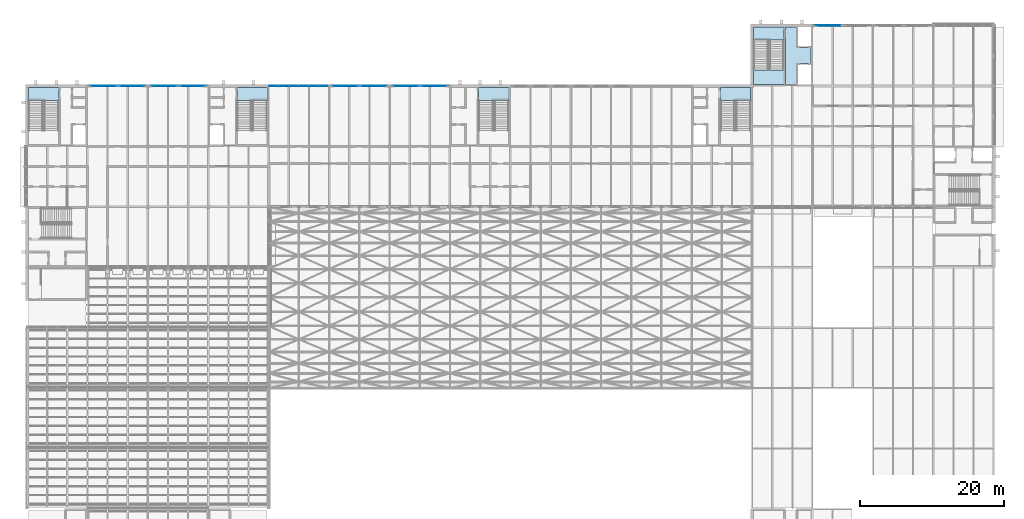
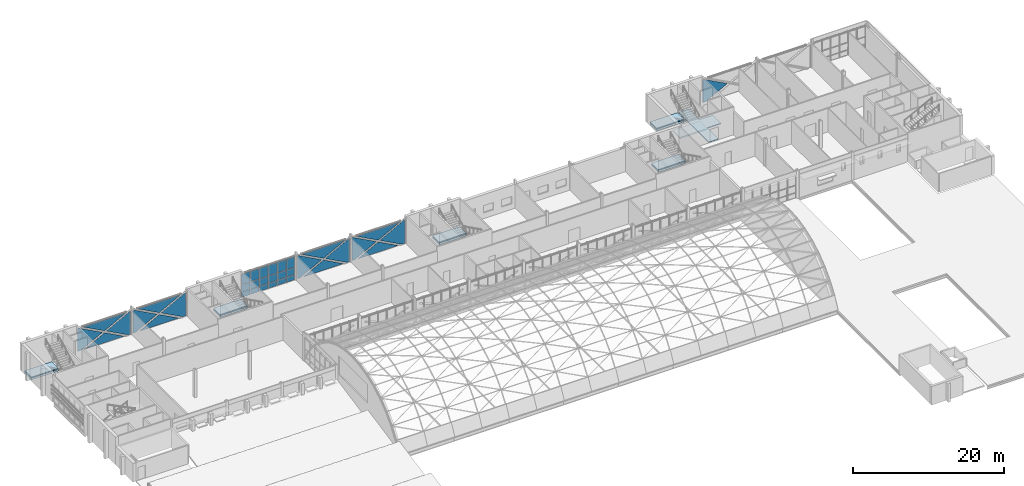
# One storey, part 80 of 121: 35 plates, 12 slabs, 7 elements without a shape of their own.
"""IFC4 building model written with IfcOpenShell, lengths in metres."""

from ifc_helpers import new_model, si_unit, direction, frame, origin, origin_2d, place, context, subcontext, project, spatial, polyline, rectangle, outline, extrude, material, layer, layer_set, type_object, element, aggregate, save


model = new_model("IFC4")

# Units and contexts
model_context = context("Model", 3, precision=1e-05, world=origin(), true_north=direction((0.0, 1.0)))
body_context = subcontext(model_context, "Body", "Model", "MODEL_VIEW")
ifc_project = project(units=[si_unit("LENGTHUNIT", "METRE"), si_unit("AREAUNIT", "SQUARE_METRE"), si_unit("VOLUMEUNIT", "CUBIC_METRE"), si_unit("PLANEANGLEUNIT", "RADIAN"), si_unit("MASSUNIT", "GRAM", prefix="KILO")], contexts=[model_context])

# Site, building, storey
site_placement = place(None, origin())
site = spatial("IfcSite", under=ifc_project, at=site_placement, CompositionType="ELEMENT")
building_placement = place(site_placement, origin())
building = spatial("IfcBuilding", under=site, at=building_placement, Name="Ardhachandra Cancer Care Centre", CompositionType="ELEMENT")
storey_placement = place(building_placement, frame((0.0, 0.0, 9.0)))
storey = spatial("IfcBuildingStorey", under=building, at=storey_placement, Name="L02", CompositionType="ELEMENT", Elevation=9.0)

# Slabs
ifc_material_1 = material(Name="Concrete M40", Category="concrete")
ifc_layer_1 = layer(ifc_material_1, 0.14990234375)
ifc_layer_set_1 = layer_set([ifc_layer_1], Name="Concrete M40")
slab_type_1 = type_object("IfcSlabType", Name="Core floor slab 150", PredefinedType="FLOOR", material=ifc_layer_set_1)
slab_1_placement = place(storey_placement, frame((0.0, 0.0, -0.14990234375)))
element("IfcSlab", 1, at=slab_1_placement, inside=storey, type_object=slab_type_1, Name="Core floor slab K4 L02 1", PredefinedType="FLOOR", context=body_context, shape_type="SweptSolid", body=[
    extrude(outline(polyline([(11.02490234375, 96.375), (15.22509765625, 96.375), (15.22509765625, 94.60009765625), (11.02490234375, 94.60009765625), (11.02490234375, 96.375)])), origin(), (0.0, 0.0, 1.0), 0.14990234375),
])
slab_2_placement = place(storey_placement, frame((0.0, 0.0, -0.14990234375)))
element("IfcSlab", 2, at=slab_2_placement, inside=storey, type_object=slab_type_1, Name="Core floor slab K5 L02 1", PredefinedType="FLOOR", context=body_context, shape_type="SweptSolid", body=[
    extrude(outline(polyline([(44.199951171875, 96.375), (40.0, 96.375), (40.0, 94.60009765625), (44.199951171875, 94.60009765625), (44.199951171875, 96.375)])), origin(), (0.0, 0.0, 1.0), 0.14990234375),
])
slab_3_placement = place(storey_placement, frame((0.0, 0.0, -0.14990234375)))
element("IfcSlab", 3, at=slab_3_placement, inside=storey, type_object=slab_type_1, Name="Core floor slab K7 L02 1", PredefinedType="FLOOR", context=body_context, shape_type="SweptSolid", body=[
    extrude(outline(polyline([(111.39990234375, 96.375), (107.199951171875, 96.375), (107.199951171875, 94.60009765625), (111.39990234375, 94.60009765625), (111.39990234375, 96.375)])), origin(), (0.0, 0.0, 1.0), 0.14990234375),
])
slab_4_placement = place(storey_placement, frame((0.0, 0.0, -0.14990234375)))
element("IfcSlab", 4, at=slab_4_placement, inside=storey, type_object=slab_type_1, Name="Core floor slab K8 L02 1", PredefinedType="FLOOR", context=body_context, shape_type="SweptSolid", body=[
    extrude(outline(polyline([(77.800048828125, 96.375), (73.60009765625, 96.375), (73.60009765625, 94.60009765625), (77.800048828125, 94.60009765625), (77.800048828125, 96.375)])), origin(), (0.0, 0.0, 1.0), 0.14990234375),
])
slab_5_placement = place(storey_placement, frame((0.0, 0.0, -0.14990234375)))
element("IfcSlab", 5, at=slab_5_placement, inside=storey, type_object=slab_type_1, Name="Core floor slab K12 L02 1", PredefinedType="FLOOR", context=body_context, shape_type="SweptSolid", body=[
    extrude(outline(polyline([(111.824951171875, 104.77490234375), (116.02490234375, 104.77490234375), (116.02490234375, 103.0), (111.824951171875, 103.0), (111.824951171875, 104.77490234375)])), origin(), (0.0, 0.0, 1.0), 0.14990234375),
])
slab_6_placement = place(storey_placement, frame((0.0, 0.0, -0.14990234375)))
element("IfcSlab", 6, at=slab_6_placement, inside=storey, type_object=slab_type_1, Name="Core floor slab K12 L02 2", PredefinedType="FLOOR", context=body_context, shape_type="SweptSolid", body=[
    extrude(outline(polyline([(119.800048828125, 99.75), (117.949951171875, 99.75), (117.75, 99.75), (117.75, 96.800048828125), (116.22509765625, 96.800048828125), (116.22509765625, 104.77490234375), (117.75, 104.77490234375), (117.75, 101.925048828125), (117.949951171875, 101.925048828125), (119.800048828125, 101.925048828125), (119.800048828125, 99.75)])), origin(), (0.0, 0.0, 1.0), 0.14990234375),
])
ifc_material_2 = material(Name="Concrete M40", Category="concrete")
ifc_layer_2 = layer(ifc_material_2, 0.300048828125)
ifc_layer_set_2 = layer_set([ifc_layer_2], Name="Concrete M40")
slab_type_2 = type_object("IfcSlabType", Name="Core stair edge slab 300", PredefinedType="FLOOR", material=ifc_layer_set_2)
slab_7_placement = place(storey_placement, frame((0.0, 0.0, -0.449951171875)))
element("IfcSlab", 7, at=slab_7_placement, inside=storey, type_object=slab_type_2, Name="Core stair edge slab K4 L02", PredefinedType="FLOOR", context=body_context, shape_type="SweptSolid", body=[
    extrude(outline(polyline([(11.02490234375, 94.60009765625), (15.22509765625, 94.60009765625), (15.22509765625, 96.375), (11.02490234375, 96.375), (11.02490234375, 94.60009765625)])), origin(), (0.0, 0.0, 1.0), 0.300048828125),
])
slab_8_placement = place(storey_placement, frame((0.0, 0.0, -0.449951171875)))
element("IfcSlab", 8, at=slab_8_placement, inside=storey, type_object=slab_type_2, Name="Core stair edge slab K5 L02", PredefinedType="FLOOR", context=body_context, shape_type="SweptSolid", body=[
    extrude(outline(polyline([(44.199951171875, 94.60009765625), (40.0, 94.60009765625), (40.0, 96.375), (44.199951171875, 96.375), (44.199951171875, 94.60009765625)])), origin(), (0.0, 0.0, 1.0), 0.300048828125),
])
slab_9_placement = place(storey_placement, frame((0.0, 0.0, -0.449951171875)))
element("IfcSlab", 9, at=slab_9_placement, inside=storey, type_object=slab_type_2, Name="Core stair edge slab K7 L02", PredefinedType="FLOOR", context=body_context, shape_type="SweptSolid", body=[
    extrude(outline(polyline([(111.39990234375, 94.60009765625), (107.199951171875, 94.60009765625), (107.199951171875, 96.375), (111.39990234375, 96.375), (111.39990234375, 94.60009765625)])), origin(), (0.0, 0.0, 1.0), 0.300048828125),
])
slab_10_placement = place(storey_placement, frame((0.0, 0.0, -0.449951171875)))
element("IfcSlab", 10, at=slab_10_placement, inside=storey, type_object=slab_type_2, Name="Core stair edge slab K8 L02", PredefinedType="FLOOR", context=body_context, shape_type="SweptSolid", body=[
    extrude(outline(polyline([(77.800048828125, 94.60009765625), (73.60009765625, 94.60009765625), (73.60009765625, 96.375), (77.800048828125, 96.375), (77.800048828125, 94.60009765625)])), origin(), (0.0, 0.0, 1.0), 0.300048828125),
])
slab_11_placement = place(storey_placement, frame((0.0, 0.0, -0.449951171875)))
element("IfcSlab", 11, at=slab_11_placement, inside=storey, type_object=slab_type_2, Name="Core stair edge slab K12 L02", PredefinedType="FLOOR", context=body_context, shape_type="SweptSolid", body=[
    extrude(outline(polyline([(111.824951171875, 103.0), (116.02490234375, 103.0), (116.02490234375, 104.77490234375), (111.824951171875, 104.77490234375), (111.824951171875, 103.0)])), origin(), (0.0, 0.0, 1.0), 0.300048828125),
])

# Curtain wall, plates
ifc_material_3 = material(Name="Aluminium extrusion", Category="aluminium")
ifc_layer_3 = layer(ifc_material_3, 0.14990234375)
ifc_layer_set_3 = layer_set([ifc_layer_3], Name="Aluminium extrusion")
curtain_wall_type = type_object("IfcCurtainWallType", Name="Curtain wall run", PredefinedType="NOTDEFINED", material=ifc_layer_set_3)
curtain_wall_1_placement = place(storey_placement, origin())
curtain_wall_1 = element("IfcCurtainWall", 12, at=curtain_wall_1_placement, inside=storey, type_object=curtain_wall_type, Name="Curtain wall L02 n/0019200_0096600", PredefinedType="NOTDEFINED")
ifc_material_4 = material(Name="Low-iron double-glazed unit")
ifc_layer_4 = layer(ifc_material_4, 0.028076171875)
ifc_layer_set_4 = layer_set([ifc_layer_4], Name="Low-iron double-glazed unit")
plate_type_1 = type_object("IfcPlateType", Name="Curtain wall glazing 28", PredefinedType="CURTAIN_PANEL", material=ifc_layer_set_4)
plate_1_placement = place(storey_placement, frame((27.389892578125, 96.60009765625, 3.7900390625), z_axis=(0.0, 1.0, 0.0), x_axis=(0.0, 0.0, -1.0)))
plate_1 = element("IfcPlate", 13, at=plate_1_placement, type_object=plate_type_1, Name="CW panel 1.1", PredefinedType="CURTAIN_PANEL", context=body_context, shape_type="SweptSolid", body=[
    extrude(outline(polyline([(0.0, 0.0), (3.72998046875, 0.0), (3.72998046875, 0.357421875), (1.93994140625, 3.69873046875), (0.0, 0.077392578125), (0.0, 0.0)])), origin(), (0.0, 0.0, 1.0), 0.028076171875),
])
plate_2_placement = place(storey_placement, frame((26.730224609375, 96.60009765625, 3.7900390625), z_axis=(0.0, 1.0, 0.0), x_axis=(-0.881498222146, 0.0, -0.472187340314)))
plate_2 = element("IfcPlate", 14, at=plate_2_placement, type_object=plate_type_1, Name="CW panel 1.1", PredefinedType="CURTAIN_PANEL", context=body_context, shape_type="SweptSolid", body=[
    extrude(outline(polyline([(0.0, 0.0), (3.778076171875, 0.0), (5.87109375, 3.14501953125), (0.0, 0.0)])), frame((0.0, 0.0, -0.028076171875)), (0.0, 0.0, 1.0), 0.028076171875),
])
plate_3_placement = place(storey_placement, frame((19.260009765625, 96.60009765625, 0.06005859375), z_axis=(0.0, 1.0, 0.0), x_axis=(0.0, 0.0, 1.0)))
plate_3 = element("IfcPlate", 15, at=plate_3_placement, type_object=plate_type_1, Name="CW panel 1.1", PredefinedType="CURTAIN_PANEL", context=body_context, shape_type="SweptSolid", body=[
    extrude(outline(polyline([(0.0, 0.0), (3.72998046875, 0.0), (3.72998046875, 0.2275390625), (1.7900390625, 3.848876953125), (0.0, 0.507568359375), (0.0, 0.0)])), origin(), (0.0, 0.0, 1.0), 0.028076171875),
])
plate_4_placement = place(storey_placement, frame((20.349853515625, 96.60009765625, 0.06005859375), z_axis=(0.0, 1.0, 0.0), x_axis=(0.881470529599, 0.0, 0.472239034228)))
plate_4 = element("IfcPlate", 16, at=plate_4_placement, type_object=plate_type_1, Name="CW panel 1.1", PredefinedType="CURTAIN_PANEL", context=body_context, shape_type="SweptSolid", body=[
    extrude(outline(polyline([(0.0, 0.0), (3.460205078125, 0.0), (5.377197265625, 2.880859375), (0.0, 0.0)])), frame((0.0, 0.0, -0.028076171875)), (0.0, 0.0, 1.0), 0.028076171875),
])
aggregate(curtain_wall_1, [plate_1, plate_2, plate_3, plate_4])

curtain_wall_2_placement = place(storey_placement, origin())
curtain_wall_2 = element("IfcCurtainWall", 17, at=curtain_wall_2_placement, inside=storey, type_object=curtain_wall_type, Name="Curtain wall L02 n/0027600_0096600", PredefinedType="NOTDEFINED")
plate_5_placement = place(storey_placement, frame((35.93994140625, 96.60009765625, 3.7900390625), z_axis=(0.0, 1.0, 0.0), x_axis=(0.0, 0.0, -1.0)))
plate_5 = element("IfcPlate", 18, at=plate_5_placement, type_object=plate_type_1, Name="CW panel 1.1", PredefinedType="CURTAIN_PANEL", context=body_context, shape_type="SweptSolid", body=[
    extrude(outline(polyline([(0.0, 0.0), (3.72998046875, 0.0), (3.72998046875, 0.50732421875), (1.93994140625, 3.848876953125), (0.0, 0.2275390625), (0.0, 0.0)])), origin(), (0.0, 0.0, 1.0), 0.028076171875),
])
plate_6_placement = place(storey_placement, frame((35.130126953125, 96.60009765625, 3.7900390625), z_axis=(0.0, 1.0, 0.0), x_axis=(-0.881483812908, 0.0, -0.47221423907)))
plate_6 = element("IfcPlate", 19, at=plate_6_placement, type_object=plate_type_1, Name="CW panel 1.1", PredefinedType="CURTAIN_PANEL", context=body_context, shape_type="SweptSolid", body=[
    extrude(outline(polyline([(0.0, 0.0), (3.77783203125, 0.0), (5.87109375, 3.14501953125), (0.0, 0.0)])), frame((0.0, 0.0, -0.028076171875)), (0.0, 0.0, 1.0), 0.028076171875),
])
plate_7_placement = place(storey_placement, frame((27.81005859375, 96.60009765625, 0.06005859375), z_axis=(0.0, 1.0, 0.0), x_axis=(0.0, 0.0, 1.0)))
plate_7 = element("IfcPlate", 20, at=plate_7_placement, type_object=plate_type_1, Name="CW panel 1.1", PredefinedType="CURTAIN_PANEL", context=body_context, shape_type="SweptSolid", body=[
    extrude(outline(polyline([(0.0, 0.0), (3.72998046875, 0.0), (3.72998046875, 0.077392578125), (1.7900390625, 3.69873046875), (0.0, 0.357421875), (0.0, 0.0)])), origin(), (0.0, 0.0, 1.0), 0.028076171875),
])
plate_8_placement = place(storey_placement, frame((28.749755859375, 96.60009765625, 0.06005859375), z_axis=(0.0, 1.0, 0.0), x_axis=(0.881486263061, 0.0, 0.472209665333)))
plate_8 = element("IfcPlate", 21, at=plate_8_placement, type_object=plate_type_1, Name="CW panel 1.1", PredefinedType="CURTAIN_PANEL", context=body_context, shape_type="SweptSolid", body=[
    extrude(outline(polyline([(0.0, 0.0), (3.46044921875, 0.0), (5.37744140625, 2.880615234375), (0.0, 0.0)])), frame((0.0, 0.0, -0.028076171875)), (0.0, 0.0, 1.0), 0.028076171875),
])
aggregate(curtain_wall_2, [plate_5, plate_6, plate_7, plate_8])

curtain_wall_3_placement = place(storey_placement, origin())
curtain_wall_3 = element("IfcCurtainWall", 22, at=curtain_wall_3_placement, inside=storey, type_object=curtain_wall_type, Name="Curtain wall L02 n/0044400_0096600", PredefinedType="NOTDEFINED")
plate_9_placement = place(storey_placement, frame((45.1025390625, 96.60009765625, 0.93017578125), z_axis=(0.0, 0.0, 1.0), x_axis=(1.0, 0.0, 0.0)))
plate_9 = element("IfcPlate", 23, at=plate_9_placement, type_object=plate_type_1, Name="CW panel 1.2", PredefinedType="CURTAIN_PANEL", context=body_context, shape_type="SweptSolid", body=[
    extrude(rectangle(XDim=1.284912109375, YDim=0.028076171875, at=origin_2d()), origin(), (0.0, 0.0, 1.0), 1.139892578125),
])
plate_10_placement = place(storey_placement, frame((45.1025390625, 96.60009765625, 2.1298828125), z_axis=(0.0, 0.0, 1.0), x_axis=(1.0, 0.0, 0.0)))
plate_10 = element("IfcPlate", 24, at=plate_10_placement, type_object=plate_type_1, Name="CW panel 1.3", PredefinedType="CURTAIN_PANEL", context=body_context, shape_type="SweptSolid", body=[
    extrude(rectangle(XDim=1.284912109375, YDim=0.028076171875, at=origin_2d()), origin(), (0.0, 0.0, 1.0), 1.696044921875),
])
plate_11_placement = place(storey_placement, frame((46.46240234375, 96.60009765625, 0.93017578125), z_axis=(0.0, 0.0, 1.0), x_axis=(1.0, 0.0, 0.0)))
plate_11 = element("IfcPlate", 25, at=plate_11_placement, type_object=plate_type_1, Name="CW panel 2.2", PredefinedType="CURTAIN_PANEL", context=body_context, shape_type="SweptSolid", body=[
    extrude(rectangle(XDim=1.31494140625, YDim=0.028076171875, at=origin_2d()), origin(), (0.0, 0.0, 1.0), 1.139892578125),
])
plate_12_placement = place(storey_placement, frame((46.46240234375, 96.60009765625, 2.1298828125), z_axis=(0.0, 0.0, 1.0), x_axis=(1.0, 0.0, 0.0)))
plate_12 = element("IfcPlate", 26, at=plate_12_placement, type_object=plate_type_1, Name="CW panel 2.3", PredefinedType="CURTAIN_PANEL", context=body_context, shape_type="SweptSolid", body=[
    extrude(rectangle(XDim=1.31494140625, YDim=0.028076171875, at=origin_2d()), origin(), (0.0, 0.0, 1.0), 1.696044921875),
])
plate_13_placement = place(storey_placement, frame((47.83740234375, 96.60009765625, 0.93017578125), z_axis=(0.0, 0.0, 1.0), x_axis=(1.0, 0.0, 0.0)))
plate_13 = element("IfcPlate", 27, at=plate_13_placement, type_object=plate_type_1, Name="CW panel 3.2", PredefinedType="CURTAIN_PANEL", context=body_context, shape_type="SweptSolid", body=[
    extrude(rectangle(XDim=1.31494140625, YDim=0.028076171875, at=origin_2d()), origin(), (0.0, 0.0, 1.0), 1.139892578125),
])
plate_14_placement = place(storey_placement, frame((47.83740234375, 96.60009765625, 2.1298828125), z_axis=(0.0, 0.0, 1.0), x_axis=(1.0, 0.0, 0.0)))
plate_14 = element("IfcPlate", 28, at=plate_14_placement, type_object=plate_type_1, Name="CW panel 3.3", PredefinedType="CURTAIN_PANEL", context=body_context, shape_type="SweptSolid", body=[
    extrude(rectangle(XDim=1.31494140625, YDim=0.028076171875, at=origin_2d()), origin(), (0.0, 0.0, 1.0), 1.696044921875),
])
plate_15_placement = place(storey_placement, frame((49.21240234375, 96.60009765625, 0.93017578125), z_axis=(0.0, 0.0, 1.0), x_axis=(1.0, 0.0, 0.0)))
plate_15 = element("IfcPlate", 29, at=plate_15_placement, type_object=plate_type_1, Name="CW panel 4.2", PredefinedType="CURTAIN_PANEL", context=body_context, shape_type="SweptSolid", body=[
    extrude(rectangle(XDim=1.31494140625, YDim=0.028076171875, at=origin_2d()), origin(), (0.0, 0.0, 1.0), 1.139892578125),
])
plate_16_placement = place(storey_placement, frame((49.21240234375, 96.60009765625, 2.1298828125), z_axis=(0.0, 0.0, 1.0), x_axis=(1.0, 0.0, 0.0)))
plate_16 = element("IfcPlate", 30, at=plate_16_placement, type_object=plate_type_1, Name="CW panel 4.3", PredefinedType="CURTAIN_PANEL", context=body_context, shape_type="SweptSolid", body=[
    extrude(rectangle(XDim=1.31494140625, YDim=0.028076171875, at=origin_2d()), origin(), (0.0, 0.0, 1.0), 1.696044921875),
])
plate_17_placement = place(storey_placement, frame((50.58740234375, 96.60009765625, 0.93017578125), z_axis=(0.0, 0.0, 1.0), x_axis=(1.0, 0.0, 0.0)))
plate_17 = element("IfcPlate", 31, at=plate_17_placement, type_object=plate_type_1, Name="CW panel 5.2", PredefinedType="CURTAIN_PANEL", context=body_context, shape_type="SweptSolid", body=[
    extrude(rectangle(XDim=1.31494140625, YDim=0.028076171875, at=origin_2d()), origin(), (0.0, 0.0, 1.0), 1.139892578125),
])
plate_18_placement = place(storey_placement, frame((50.58740234375, 96.60009765625, 2.1298828125), z_axis=(0.0, 0.0, 1.0), x_axis=(1.0, 0.0, 0.0)))
plate_18 = element("IfcPlate", 32, at=plate_18_placement, type_object=plate_type_1, Name="CW panel 5.3", PredefinedType="CURTAIN_PANEL", context=body_context, shape_type="SweptSolid", body=[
    extrude(rectangle(XDim=1.31494140625, YDim=0.028076171875, at=origin_2d()), origin(), (0.0, 0.0, 1.0), 1.696044921875),
])
plate_19_placement = place(storey_placement, frame((51.947509765625, 96.60009765625, 0.93017578125), z_axis=(0.0, 0.0, 1.0), x_axis=(1.0, 0.0, 0.0)))
plate_19 = element("IfcPlate", 33, at=plate_19_placement, type_object=plate_type_1, Name="CW panel 6.2", PredefinedType="CURTAIN_PANEL", context=body_context, shape_type="SweptSolid", body=[
    extrude(rectangle(XDim=1.284912109375, YDim=0.028076171875, at=origin_2d()), origin(), (0.0, 0.0, 1.0), 1.139892578125),
])
plate_20_placement = place(storey_placement, frame((51.947509765625, 96.60009765625, 2.1298828125), z_axis=(0.0, 0.0, 1.0), x_axis=(1.0, 0.0, 0.0)))
plate_20 = element("IfcPlate", 34, at=plate_20_placement, type_object=plate_type_1, Name="CW panel 6.3", PredefinedType="CURTAIN_PANEL", context=body_context, shape_type="SweptSolid", body=[
    extrude(rectangle(XDim=1.284912109375, YDim=0.028076171875, at=origin_2d()), origin(), (0.0, 0.0, 1.0), 1.696044921875),
])

curtain_wall_4_placement = place(storey_placement, origin())
curtain_wall_4 = element("IfcCurtainWall", 35, at=curtain_wall_4_placement, inside=storey, type_object=curtain_wall_type, Name="Curtain wall L02 n/0052800_0096600", PredefinedType="NOTDEFINED")
plate_21_placement = place(storey_placement, frame((60.989990234375, 96.60009765625, 3.825927734375), z_axis=(0.0, 1.0, 0.0), x_axis=(0.0, 0.0, -1.0)))
plate_21 = element("IfcPlate", 36, at=plate_21_placement, type_object=plate_type_1, Name="CW panel 1.1", PredefinedType="CURTAIN_PANEL", context=body_context, shape_type="SweptSolid", body=[
    extrude(outline(polyline([(0.0, 0.0), (3.765869140625, 0.0), (3.765869140625, 0.385009765625), (1.967041015625, 3.729736328125), (0.0, 0.07275390625), (0.0, 0.0)])), origin(), (0.0, 0.0, 1.0), 0.028076171875),
])
plate_22_placement = place(storey_placement, frame((60.39697265625, 96.60009765625, 3.825927734375), z_axis=(0.0, 1.0, 0.0), x_axis=(-0.880712849131, 0.0, -0.473650585744)))
plate_22 = element("IfcPlate", 37, at=plate_22_placement, type_object=plate_type_1, Name="CW panel 1.1", PredefinedType="CURTAIN_PANEL", context=body_context, shape_type="SweptSolid", body=[
    extrude(outline(polyline([(0.0, 0.0), (3.857177734375, 0.0), (5.9833984375, 3.218017578125), (0.0, 0.0)])), frame((0.0, 0.0, -0.028076171875)), (0.0, 0.0, 1.0), 0.028076171875),
])
plate_23_placement = place(storey_placement, frame((53.010009765625, 96.60009765625, 0.06005859375), z_axis=(0.0, 1.0, 0.0), x_axis=(0.0, 0.0, 1.0)))
plate_23 = element("IfcPlate", 38, at=plate_23_placement, type_object=plate_type_1, Name="CW panel 1.1", PredefinedType="CURTAIN_PANEL", context=body_context, shape_type="SweptSolid", body=[
    extrude(outline(polyline([(0.0, 0.0), (3.765869140625, 0.0), (3.765869140625, 0.07275390625), (1.798828125, 3.729736328125), (0.0, 0.385009765625), (0.0, 0.0)])), origin(), (0.0, 0.0, 1.0), 0.028076171875),
])
plate_24_placement = place(storey_placement, frame((53.91552734375, 96.60009765625, 0.06005859375), z_axis=(0.0, 1.0, 0.0), x_axis=(0.880701546628, 0.0, 0.473671601182)))
plate_24 = element("IfcPlate", 39, at=plate_24_placement, type_object=plate_type_1, Name="CW panel 1.1", PredefinedType="CURTAIN_PANEL", context=body_context, shape_type="SweptSolid", body=[
    extrude(outline(polyline([(0.0, 0.0), (3.502197265625, 0.0), (5.43310546875, 2.922119140625), (0.0, 0.0)])), frame((0.0, 0.0, -0.028076171875)), (0.0, 0.0, 1.0), 0.028076171875),
])
aggregate(curtain_wall_4, [plate_21, plate_22, plate_23, plate_24])

curtain_wall_5_placement = place(storey_placement, origin())
curtain_wall_5 = element("IfcCurtainWall", 40, at=curtain_wall_5_placement, inside=storey, type_object=curtain_wall_type, Name="Curtain wall L02 n/0061200_0096600", PredefinedType="NOTDEFINED")
plate_25_placement = place(storey_placement, frame((69.5400390625, 96.60009765625, 3.825927734375), z_axis=(0.0, 1.0, 0.0), x_axis=(0.0, 0.0, -1.0)))
plate_25 = element("IfcPlate", 41, at=plate_25_placement, type_object=plate_type_1, Name="CW panel 1.1", PredefinedType="CURTAIN_PANEL", context=body_context, shape_type="SweptSolid", body=[
    extrude(outline(polyline([(0.0, 0.0), (3.765869140625, 0.0), (3.765869140625, 0.53515625), (1.967041015625, 3.8798828125), (0.0, 0.22265625), (0.0, 0.0)])), origin(), (0.0, 0.0, 1.0), 0.028076171875),
])
plate_26_placement = place(storey_placement, frame((68.796875, 96.60009765625, 3.825927734375), z_axis=(0.0, 1.0, 0.0), x_axis=(-0.880712849131, 0.0, -0.473650585744)))
plate_26 = element("IfcPlate", 42, at=plate_26_placement, type_object=plate_type_1, Name="CW panel 1.1", PredefinedType="CURTAIN_PANEL", context=body_context, shape_type="SweptSolid", body=[
    extrude(outline(polyline([(0.0, 0.0), (3.857177734375, 0.0), (5.9833984375, 3.2177734375), (0.0, 0.0)])), frame((0.0, 0.0, -0.028076171875)), (0.0, 0.0, 1.0), 0.028076171875),
])
plate_27_placement = place(storey_placement, frame((61.409912109375, 96.60009765625, 0.06005859375), z_axis=(0.0, 1.0, 0.0), x_axis=(0.0, 0.0, 1.0)))
plate_27 = element("IfcPlate", 43, at=plate_27_placement, type_object=plate_type_1, Name="CW panel 1.1", PredefinedType="CURTAIN_PANEL", context=body_context, shape_type="SweptSolid", body=[
    extrude(outline(polyline([(0.0, 0.0), (3.765869140625, 0.0), (3.765869140625, 0.07275390625), (1.798828125, 3.72998046875), (0.0, 0.38525390625), (0.0, 0.0)])), origin(), (0.0, 0.0, 1.0), 0.028076171875),
])
plate_28_placement = place(storey_placement, frame((62.3154296875, 96.60009765625, 0.06005859375), z_axis=(0.0, 1.0, 0.0), x_axis=(0.880701546628, 0.0, 0.473671601182)))
plate_28 = element("IfcPlate", 44, at=plate_28_placement, type_object=plate_type_1, Name="CW panel 1.1", PredefinedType="CURTAIN_PANEL", context=body_context, shape_type="SweptSolid", body=[
    extrude(outline(polyline([(0.0, 0.0), (3.502197265625, 0.0), (5.43310546875, 2.922119140625), (0.0, 0.0)])), frame((0.0, 0.0, -0.028076171875)), (0.0, 0.0, 1.0), 0.028076171875),
])
aggregate(curtain_wall_5, [plate_25, plate_26, plate_27, plate_28])

# Curtain wall, plate
curtain_wall_6_placement = place(storey_placement, origin())
curtain_wall_6 = element("IfcCurtainWall", 45, at=curtain_wall_6_placement, inside=storey, type_object=curtain_wall_type, Name="Curtain wall L02 n/0120000_0105000", PredefinedType="NOTDEFINED")
plate_29_placement = place(storey_placement, frame((120.06005859375, 105.0, 0.06005859375), z_axis=(0.0, 1.0, 0.0), x_axis=(0.0, 0.0, 1.0)))
plate_29 = element("IfcPlate", 46, at=plate_29_placement, type_object=plate_type_1, Name="CW panel 1.1", PredefinedType="CURTAIN_PANEL", context=body_context, shape_type="SweptSolid", body=[
    extrude(outline(polyline([(0.0, 0.0), (3.72998046875, 0.0), (3.72998046875, 0.173583984375), (1.7900390625, 3.794921875), (0.0, 0.45361328125), (0.0, 0.0)])), origin(), (0.0, 0.0, 1.0), 0.028076171875),
])
aggregate(curtain_wall_6, [plate_29])

# Plate
ifc_material_5 = material(Name="Aluminium composite spandrel panel", Category="aluminium")
ifc_layer_5 = layer(ifc_material_5, 0.028076171875)
ifc_layer_set_5 = layer_set([ifc_layer_5], Name="Aluminium composite spandrel panel")
plate_type_2 = type_object("IfcPlateType", Name="Curtain wall spandrel panel 28", PredefinedType="CURTAIN_PANEL", material=ifc_layer_set_5)
plate_30_placement = place(storey_placement, frame((45.1025390625, 96.60009765625, 0.06005859375), z_axis=(0.0, 0.0, 1.0), x_axis=(1.0, 0.0, 0.0)))
plate_30 = element("IfcPlate", 47, at=plate_30_placement, type_object=plate_type_2, Name="CW panel 1.1", PredefinedType="CURTAIN_PANEL", context=body_context, shape_type="SweptSolid", body=[
    extrude(rectangle(XDim=1.284912109375, YDim=0.028076171875, at=origin_2d()), origin(), (0.0, 0.0, 1.0), 0.81005859375),
])

plate_31_placement = place(storey_placement, frame((46.46240234375, 96.60009765625, 0.06005859375), z_axis=(0.0, 0.0, 1.0), x_axis=(1.0, 0.0, 0.0)))
plate_31 = element("IfcPlate", 48, at=plate_31_placement, type_object=plate_type_2, Name="CW panel 2.1", PredefinedType="CURTAIN_PANEL", context=body_context, shape_type="SweptSolid", body=[
    extrude(rectangle(XDim=1.31494140625, YDim=0.028076171875, at=origin_2d()), origin(), (0.0, 0.0, 1.0), 0.81005859375),
])

plate_32_placement = place(storey_placement, frame((47.83740234375, 96.60009765625, 0.06005859375), z_axis=(0.0, 0.0, 1.0), x_axis=(1.0, 0.0, 0.0)))
plate_32 = element("IfcPlate", 49, at=plate_32_placement, type_object=plate_type_2, Name="CW panel 3.1", PredefinedType="CURTAIN_PANEL", context=body_context, shape_type="SweptSolid", body=[
    extrude(rectangle(XDim=1.31494140625, YDim=0.028076171875, at=origin_2d()), origin(), (0.0, 0.0, 1.0), 0.81005859375),
])

plate_33_placement = place(storey_placement, frame((49.21240234375, 96.60009765625, 0.06005859375), z_axis=(0.0, 0.0, 1.0), x_axis=(1.0, 0.0, 0.0)))
plate_33 = element("IfcPlate", 50, at=plate_33_placement, type_object=plate_type_2, Name="CW panel 4.1", PredefinedType="CURTAIN_PANEL", context=body_context, shape_type="SweptSolid", body=[
    extrude(rectangle(XDim=1.31494140625, YDim=0.028076171875, at=origin_2d()), origin(), (0.0, 0.0, 1.0), 0.81005859375),
])

plate_34_placement = place(storey_placement, frame((50.58740234375, 96.60009765625, 0.06005859375), z_axis=(0.0, 0.0, 1.0), x_axis=(1.0, 0.0, 0.0)))
plate_34 = element("IfcPlate", 51, at=plate_34_placement, type_object=plate_type_2, Name="CW panel 5.1", PredefinedType="CURTAIN_PANEL", context=body_context, shape_type="SweptSolid", body=[
    extrude(rectangle(XDim=1.31494140625, YDim=0.028076171875, at=origin_2d()), origin(), (0.0, 0.0, 1.0), 0.81005859375),
])

plate_35_placement = place(storey_placement, frame((51.947509765625, 96.60009765625, 0.06005859375), z_axis=(0.0, 0.0, 1.0), x_axis=(1.0, 0.0, 0.0)))
plate_35 = element("IfcPlate", 52, at=plate_35_placement, type_object=plate_type_2, Name="CW panel 6.1", PredefinedType="CURTAIN_PANEL", context=body_context, shape_type="SweptSolid", body=[
    extrude(rectangle(XDim=1.284912109375, YDim=0.028076171875, at=origin_2d()), origin(), (0.0, 0.0, 1.0), 0.81005859375),
])

aggregate(curtain_wall_3, [plate_30, plate_9, plate_10, plate_31, plate_11, plate_12, plate_32, plate_13, plate_14, plate_33, plate_15, plate_16, plate_34, plate_17, plate_18, plate_35, plate_19, plate_20])

# Stair, slab
ifc_material_6 = material(Name="Concrete M40", Category="concrete")
stair_type = type_object("IfcStairType", Name="Dog-leg stair 2000", PredefinedType="HALF_TURN_STAIR", material=ifc_material_6)
stair_placement = place(storey_placement, origin())
stair = element("IfcStair", 53, at=stair_placement, inside=storey, type_object=stair_type, Name="Stair K12 L02-L03", PredefinedType="HALF_TURN_STAIR")
ifc_material_7 = material(Name="Concrete M40", Category="concrete")
ifc_layer_6 = layer(ifc_material_7, 0.199951171875)
ifc_layer_set_6 = layer_set([ifc_layer_6], Name="Concrete M40")
slab_type_3 = type_object("IfcSlabType", Name="Stair landing 200", PredefinedType="LANDING", material=ifc_layer_set_6)
slab_12_placement = place(storey_placement, frame((0.0, 0.0, 2.050048828125)))
slab_12 = element("IfcSlab", 54, at=slab_12_placement, type_object=slab_type_3, Name="stair K12 L02-L03 landing 1", PredefinedType="LANDING", context=body_context, shape_type="SweptSolid", body=[
    extrude(outline(polyline([(111.824951171875, 96.800048828125), (116.02490234375, 96.800048828125), (116.02490234375, 98.800048828125), (111.824951171875, 98.800048828125), (111.824951171875, 96.800048828125)])), origin(), (0.0, 0.0, 1.0), 0.199951171875),
])
aggregate(stair, [slab_12])

save(model, "model.ifc")
